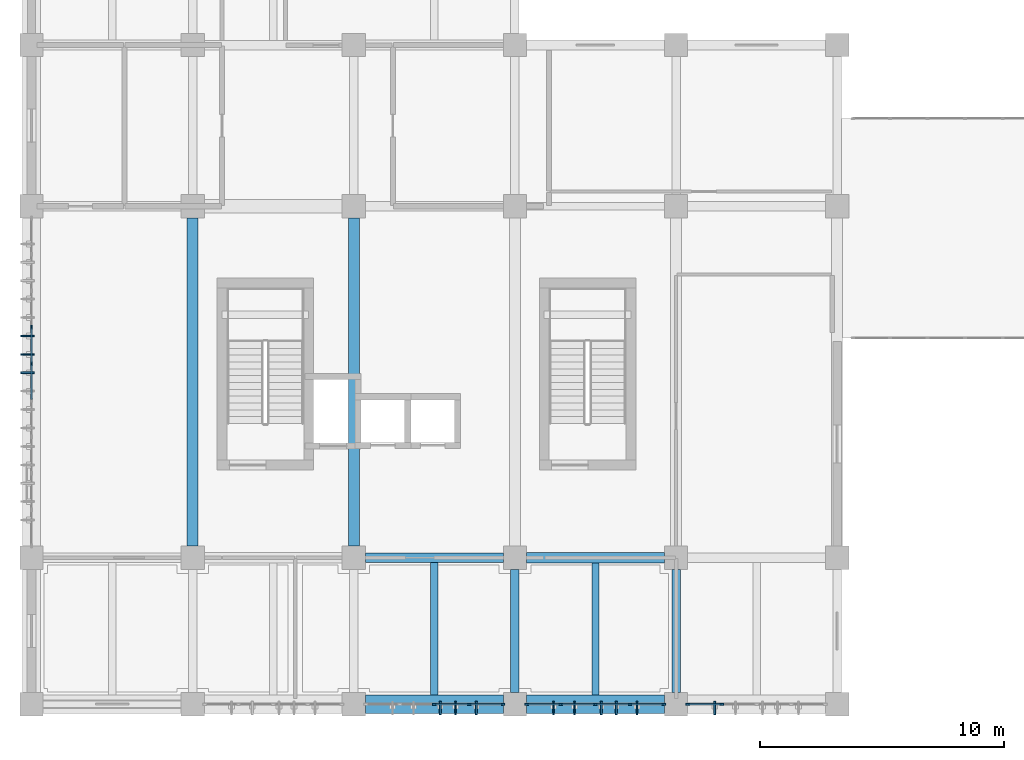
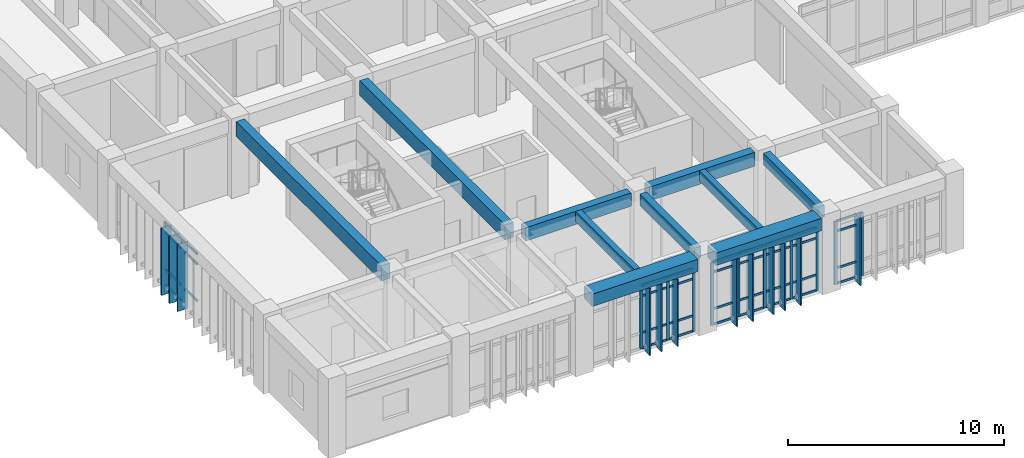
# One storey, part 3 of 57: 59 members, 10 beams, 4 elements without a shape of their own.
"""IFC4 building model written with IfcOpenShell, lengths in metres."""

from ifc_helpers import new_model, si_unit, direction, frame, origin, origin_2d, place, context, subcontext, project, spatial, rectangle, extrude, material, layer, layer_set, material_profile, profile_set, type_object, element, aggregate, save


model = new_model("IFC4")

# Units and contexts
model_context = context("Model", 3, precision=1e-05, world=origin(), true_north=direction((0.0, 1.0)))
body_context = subcontext(model_context, "Body", "Model", "MODEL_VIEW")
ifc_project = project(units=[si_unit("LENGTHUNIT", "METRE"), si_unit("AREAUNIT", "SQUARE_METRE"), si_unit("VOLUMEUNIT", "CUBIC_METRE"), si_unit("PLANEANGLEUNIT", "RADIAN"), si_unit("MASSUNIT", "GRAM", prefix="KILO")], contexts=[model_context])

# Site, building, storey
site_placement = place(None, origin())
site = spatial("IfcSite", under=ifc_project, at=site_placement, CompositionType="ELEMENT")
building_placement = place(site_placement, origin())
building = spatial("IfcBuilding", under=site, at=building_placement, Name="Miralva Faculty of Natural Sciences", CompositionType="ELEMENT")
storey_placement = place(building_placement, frame((0.0, 0.0, 15.0)))
storey = spatial("IfcBuildingStorey", under=building, at=storey_placement, Name="L03", CompositionType="ELEMENT", Elevation=15.0)

# Beams
ifc_material_1 = material(Name="Concrete C40/50", Category="concrete")
ifc_material_profile_1 = material_profile(ifc_material_1, rectangle(XDim=0.449951171875, YDim=0.85009765625, at=origin_2d()), Name="RC 450x850")
ifc_profile_set_1 = profile_set([ifc_material_profile_1], Name="Concrete C40/50")
beam_type_1 = type_object("IfcBeamType", Name="BM-B01", PredefinedType="BEAM", material=ifc_profile_set_1)
for number, where, z_axis, x_axis, name in (
    (1, (9.60009765625, 9.47509765625, 3.85498046875), (0.0, 1.0, 0.0), (-1.0, 0.0, 0.0), "Girder NS L03-76"),
    (2, (16.199951171875, 9.47509765625, 3.85498046875), (0.0, 1.0, 0.0), (-1.0, 0.0, 0.0), "Girder NS L03-89"),
):
    element("IfcBeam", number, at=place(storey_placement, frame(where, z_axis=z_axis, x_axis=x_axis)), inside=storey, type_object=beam_type_1, Name=name, PredefinedType="BEAM", context=body_context, shape_type="SweptSolid", body=[
        extrude(rectangle(XDim=0.449951171875, YDim=0.85009765625, at=origin_2d()), origin(), (0.0, 0.0, 1.0), 13.449951171875),
    ])
ifc_material_profile_2 = material_profile(ifc_material_1, rectangle(XDim=0.39990234375, YDim=0.75, at=origin_2d()), Name="RC 400x750")
ifc_profile_set_2 = profile_set([ifc_material_profile_2], Name="Concrete C40/50")
beam_type_2 = type_object("IfcBeamType", Name="BM-B03", PredefinedType="BEAM", material=ifc_profile_set_2)
beam_1_placement = place(storey_placement, frame((16.675048828125, 9.0, 3.905029296875), z_axis=(1.0, 0.0, 0.0), x_axis=(0.0, 1.0, 0.0)))
element("IfcBeam", 3, at=beam_1_placement, inside=storey, type_object=beam_type_2, Name="Girder EW L03-8", PredefinedType="BEAM", context=body_context, shape_type="SweptSolid", body=[
    extrude(rectangle(XDim=0.39990234375, YDim=0.75, at=origin_2d()), origin(), (0.0, 0.0, 1.0), 5.64990234375),
])
ifc_material_profile_3 = material_profile(ifc_material_1, rectangle(XDim=0.35009765625, YDim=0.64990234375, at=origin_2d()), Name="RC 350x650")
ifc_profile_set_3 = profile_set([ifc_material_profile_3], Name="Concrete C40/50")
beam_type_3 = type_object("IfcBeamType", Name="BM-B05", PredefinedType="BEAM", material=ifc_profile_set_3)
for number, where, z_axis, x_axis, name in (
    (4, (22.800048828125, 3.47509765625, 3.955078125), (0.0, 1.0, 0.0), (-1.0, 0.0, 0.0), "Girder NS L03-91"),
    (5, (29.39990234375, 3.47509765625, 3.955078125), (0.0, 1.0, 0.0), (-1.0, 0.0, 0.0), "Girder NS L03-104"),
):
    element("IfcBeam", number, at=place(storey_placement, frame(where, z_axis=z_axis, x_axis=x_axis)), inside=storey, type_object=beam_type_3, Name=name, PredefinedType="BEAM", context=body_context, shape_type="SweptSolid", body=[
        extrude(rectangle(XDim=0.35009765625, YDim=0.64990234375, at=origin_2d()), origin(), (0.0, 0.0, 1.0), 5.0498046875),
    ])
ifc_material_profile_4 = material_profile(ifc_material_1, rectangle(XDim=0.43994140625, YDim=0.780029296875, at=origin_2d()), Name="RC 440x780")
ifc_profile_set_4 = profile_set([ifc_material_profile_4], Name="Concrete C40/50")
beam_type_4 = type_object("IfcBeamType", Name="BM-BG13", PredefinedType="BEAM", material=ifc_profile_set_4)
beam_2_placement = place(storey_placement, frame((23.27490234375, 9.0, 3.889892578125), z_axis=(1.0, 0.0, 0.0), x_axis=(0.0, 1.0, 0.0)))
element("IfcBeam", 6, at=beam_2_placement, inside=storey, type_object=beam_type_4, Name="Girder EW L03-9", PredefinedType="BEAM", context=body_context, shape_type="SweptSolid", body=[
    extrude(rectangle(XDim=0.43994140625, YDim=0.780029296875, at=origin_2d()), origin(), (0.0, 0.0, 1.0), 5.650146484375),
])
ifc_material_profile_5 = material_profile(ifc_material_1, rectangle(XDim=0.300048828125, YDim=0.60009765625, at=origin_2d()), Name="RC 300x600")
ifc_profile_set_5 = profile_set([ifc_material_profile_5], Name="Concrete C40/50")
beam_type_5 = type_object("IfcBeamType", Name="BM-J01", PredefinedType="JOIST", material=ifc_profile_set_5)
beam_3_placement = place(storey_placement, frame((19.5, 3.375, 3.97998046875), z_axis=(0.0, 1.0, 0.0), x_axis=(-1.0, 0.0, 0.0)))
element("IfcBeam", 7, at=beam_3_placement, inside=storey, type_object=beam_type_5, Name="Floor joist L03-3", PredefinedType="JOIST", context=body_context, shape_type="SweptSolid", body=[
    extrude(rectangle(XDim=0.300048828125, YDim=0.60009765625, at=origin_2d()), origin(), (0.0, 0.0, 1.0), 5.425048828125),
])
beam_4_placement = place(storey_placement, frame((26.10009765625, 3.375, 3.97998046875), z_axis=(0.0, 1.0, 0.0), x_axis=(-1.0, 0.0, 0.0)))
element("IfcBeam", 8, at=beam_4_placement, inside=storey, type_object=beam_type_5, Name="Floor joist L03-4", PredefinedType="JOIST", context=body_context, shape_type="SweptSolid", body=[
    extrude(rectangle(XDim=0.300048828125, YDim=0.60009765625, at=origin_2d()), origin(), (0.0, 0.0, 1.0), 5.405029296875),
])
ifc_material_profile_6 = material_profile(ifc_material_1, rectangle(XDim=0.75, YDim=0.699951171875, at=origin_2d()), Name="RC 750x700")
ifc_profile_set_6 = profile_set([ifc_material_profile_6], Name="Concrete C40/50")
beam_type_6 = type_object("IfcBeamType", Name="BM-SP01", PredefinedType="SPANDREL", material=ifc_profile_set_6)
beam_5_placement = place(storey_placement, frame((16.675048828125, 3.0, 3.929931640625), z_axis=(1.0, 0.0, 0.0), x_axis=(0.0, 1.0, 0.0)))
element("IfcBeam", 9, at=beam_5_placement, inside=storey, type_object=beam_type_6, Name="Girder EW L03-3", PredefinedType="SPANDREL", context=body_context, shape_type="SweptSolid", body=[
    extrude(rectangle(XDim=0.75, YDim=0.699951171875, at=origin_2d()), origin(), (0.0, 0.0, 1.0), 5.64990234375),
])
beam_6_placement = place(storey_placement, frame((23.27490234375, 3.0, 3.929931640625), z_axis=(1.0, 0.0, 0.0), x_axis=(0.0, 1.0, 0.0)))
element("IfcBeam", 10, at=beam_6_placement, inside=storey, type_object=beam_type_6, Name="Girder EW L03-4", PredefinedType="SPANDREL", context=body_context, shape_type="SweptSolid", body=[
    extrude(rectangle(XDim=0.75, YDim=0.699951171875, at=origin_2d()), origin(), (0.0, 0.0, 1.0), 5.650146484375),
])

# Curtain wall, members
ifc_material_2 = material(Name="Laminated solar-control glass", Category="glass")
ifc_layer = layer(ifc_material_2, 0.179931640625, Name="CW-TWR-L03")
ifc_layer_set = layer_set([ifc_layer], Name="Laminated solar-control glass")
curtain_wall_type = type_object("IfcCurtainWallType", Name="CW-TWR-L03", PredefinedType="USERDEFINED", material=ifc_layer_set)
curtain_wall_1_placement = place(storey_placement, origin())
curtain_wall_1 = element("IfcCurtainWall", 11, at=curtain_wall_1_placement, inside=storey, type_object=curtain_wall_type, Name="Curtain wall CW-14 L03-225", ObjectType="UNITISED CURTAIN WALL", PredefinedType="USERDEFINED")
ifc_material_3 = material(Name="Anodised aluminium", Category="aluminium")
ifc_material_profile_7 = material_profile(ifc_material_3, rectangle(XDim=0.06494140625, YDim=0.159912109375, at=origin_2d()), Name="MULLION 65x160")
ifc_profile_set_7 = profile_set([ifc_material_profile_7], Name="Anodised aluminium")
member_type_1 = type_object("IfcMemberType", Name="CW-M02", PredefinedType="MULLION", material=ifc_profile_set_7)
member_1_placement = place(storey_placement, frame((19.5, 3.0, 0.0), z_axis=(0.0, 0.0, 1.0), x_axis=(0.0, 1.0, 0.0)))
member_1 = element("IfcMember", 12, at=member_1_placement, type_object=member_type_1, Name="CW-14 mullion 3", PredefinedType="MULLION", context=body_context, shape_type="SweptSolid", body=[
    extrude(rectangle(XDim=0.06494140625, YDim=0.159912109375, at=origin_2d()), origin(), (0.0, 0.0, 1.0), 3.574951171875),
])
member_2_placement = place(storey_placement, frame((20.922607421875, 3.0, 0.0), z_axis=(0.0, 0.0, 1.0), x_axis=(0.0, 1.0, 0.0)))
member_2 = element("IfcMember", 13, at=member_2_placement, type_object=member_type_1, Name="CW-14 mullion 4", PredefinedType="MULLION", context=body_context, shape_type="SweptSolid", body=[
    extrude(rectangle(XDim=0.06494140625, YDim=0.159912109375, at=origin_2d()), origin(), (0.0, 0.0, 1.0), 3.574951171875),
])
member_3_placement = place(storey_placement, frame((22.3125, 3.0, 0.0), z_axis=(0.0, 0.0, 1.0), x_axis=(0.0, 1.0, 0.0)))
member_3 = element("IfcMember", 14, at=member_3_placement, type_object=member_type_1, Name="CW-14 mullion 5", PredefinedType="MULLION", context=body_context, shape_type="SweptSolid", body=[
    extrude(rectangle(XDim=0.06494140625, YDim=0.159912109375, at=origin_2d()), origin(), (0.0, 0.0, 1.0), 3.574951171875),
])

curtain_wall_2_placement = place(storey_placement, origin())
curtain_wall_2 = element("IfcCurtainWall", 15, at=curtain_wall_2_placement, inside=storey, type_object=curtain_wall_type, Name="Curtain wall CW-14 L03-226", ObjectType="UNITISED CURTAIN WALL", PredefinedType="USERDEFINED")
member_4_placement = place(storey_placement, frame((23.28759765625, 3.0, 0.0), z_axis=(0.0, 0.0, 1.0), x_axis=(0.0, 1.0, 0.0)))
member_4 = element("IfcMember", 16, at=member_4_placement, type_object=member_type_1, Name="CW-14 mullion 1", PredefinedType="MULLION", context=body_context, shape_type="SweptSolid", body=[
    extrude(rectangle(XDim=0.06494140625, YDim=0.159912109375, at=origin_2d()), origin(), (0.0, 0.0, 1.0), 3.574951171875),
])
member_5_placement = place(storey_placement, frame((24.675048828125, 3.0, 0.0), z_axis=(0.0, 0.0, 1.0), x_axis=(0.0, 1.0, 0.0)))
member_5 = element("IfcMember", 17, at=member_5_placement, type_object=member_type_1, Name="CW-14 mullion 2", PredefinedType="MULLION", context=body_context, shape_type="SweptSolid", body=[
    extrude(rectangle(XDim=0.06494140625, YDim=0.159912109375, at=origin_2d()), origin(), (0.0, 0.0, 1.0), 3.574951171875),
])
member_6_placement = place(storey_placement, frame((26.094970703125, 3.0, 0.0), z_axis=(0.0, 0.0, 1.0), x_axis=(0.0, 1.0, 0.0)))
member_6 = element("IfcMember", 18, at=member_6_placement, type_object=member_type_1, Name="CW-14 mullion 3", PredefinedType="MULLION", context=body_context, shape_type="SweptSolid", body=[
    extrude(rectangle(XDim=0.06494140625, YDim=0.159912109375, at=origin_2d()), origin(), (0.0, 0.0, 1.0), 3.574951171875),
])
member_7_placement = place(storey_placement, frame((27.514892578125, 3.0, 0.0), z_axis=(0.0, 0.0, 1.0), x_axis=(0.0, 1.0, 0.0)))
member_7 = element("IfcMember", 19, at=member_7_placement, type_object=member_type_1, Name="CW-14 mullion 4", PredefinedType="MULLION", context=body_context, shape_type="SweptSolid", body=[
    extrude(rectangle(XDim=0.06494140625, YDim=0.159912109375, at=origin_2d()), origin(), (0.0, 0.0, 1.0), 3.574951171875),
])
member_8_placement = place(storey_placement, frame((28.902587890625, 3.0, 0.0), z_axis=(0.0, 0.0, 1.0), x_axis=(0.0, 1.0, 0.0)))
member_8 = element("IfcMember", 20, at=member_8_placement, type_object=member_type_1, Name="CW-14 mullion 5", PredefinedType="MULLION", context=body_context, shape_type="SweptSolid", body=[
    extrude(rectangle(XDim=0.06494140625, YDim=0.159912109375, at=origin_2d()), origin(), (0.0, 0.0, 1.0), 3.574951171875),
])

curtain_wall_3_placement = place(storey_placement, origin())
curtain_wall_3 = element("IfcCurtainWall", 21, at=curtain_wall_3_placement, inside=storey, type_object=curtain_wall_type, Name="Curtain wall CW-14 L03-227", ObjectType="UNITISED CURTAIN WALL", PredefinedType="USERDEFINED")
member_9_placement = place(storey_placement, frame((29.887451171875, 3.0, 0.0), z_axis=(0.0, 0.0, 1.0), x_axis=(0.0, 1.0, 0.0)))
member_9 = element("IfcMember", 22, at=member_9_placement, type_object=member_type_1, Name="CW-14 mullion 1", PredefinedType="MULLION", context=body_context, shape_type="SweptSolid", body=[
    extrude(rectangle(XDim=0.06494140625, YDim=0.159912109375, at=origin_2d()), origin(), (0.0, 0.0, 1.0), 3.574951171875),
])
member_10_placement = place(storey_placement, frame((31.277587890625, 3.0, 0.0), z_axis=(0.0, 0.0, 1.0), x_axis=(0.0, 1.0, 0.0)))
member_10 = element("IfcMember", 23, at=member_10_placement, type_object=member_type_1, Name="CW-14 mullion 2", PredefinedType="MULLION", context=body_context, shape_type="SweptSolid", body=[
    extrude(rectangle(XDim=0.06494140625, YDim=0.159912109375, at=origin_2d()), origin(), (0.0, 0.0, 1.0), 3.574951171875),
])

curtain_wall_4_placement = place(storey_placement, origin())
curtain_wall_4 = element("IfcCurtainWall", 24, at=curtain_wall_4_placement, inside=storey, type_object=curtain_wall_type, Name="Curtain wall CW-14 L03-228", ObjectType="UNITISED CURTAIN WALL", PredefinedType="USERDEFINED")
member_11_placement = place(storey_placement, frame((3.0, 16.9482421875, 0.0), z_axis=(0.0, 0.0, 1.0), x_axis=(-1.0, 0.0, 0.0)))
member_11 = element("IfcMember", 25, at=member_11_placement, type_object=member_type_1, Name="CW-14 mullion 6", PredefinedType="MULLION", context=body_context, shape_type="SweptSolid", body=[
    extrude(rectangle(XDim=0.06494140625, YDim=0.159912109375, at=origin_2d()), origin(), (0.0, 0.0, 1.0), 3.574951171875),
])
member_12_placement = place(storey_placement, frame((3.0, 18.445068359375, 0.0), z_axis=(0.0, 0.0, 1.0), x_axis=(-1.0, 0.0, 0.0)))
member_12 = element("IfcMember", 26, at=member_12_placement, type_object=member_type_1, Name="CW-14 mullion 7", PredefinedType="MULLION", context=body_context, shape_type="SweptSolid", body=[
    extrude(rectangle(XDim=0.06494140625, YDim=0.159912109375, at=origin_2d()), origin(), (0.0, 0.0, 1.0), 3.574951171875),
])

# Member
ifc_material_profile_8 = material_profile(ifc_material_3, rectangle(XDim=0.06005859375, YDim=0.1201171875, at=origin_2d()), Name="TRANSOM 60x120")
ifc_profile_set_8 = profile_set([ifc_material_profile_8], Name="Anodised aluminium")
member_type_2 = type_object("IfcMemberType", Name="CW-T02", PredefinedType="USERDEFINED", material=ifc_profile_set_8)
member_13_placement = place(storey_placement, frame((19.532470703125, 3.0, 0.030029296875), z_axis=(1.0, 0.0, 0.0), x_axis=(0.0, 1.0, 0.0)))
member_13 = element("IfcMember", 27, at=member_13_placement, type_object=member_type_2, Name="CW-14 transom 3.1", ObjectType="TRANSOM", PredefinedType="USERDEFINED", context=body_context, shape_type="SweptSolid", body=[
    extrude(rectangle(XDim=0.06005859375, YDim=0.1201171875, at=origin_2d()), origin(), (0.0, 0.0, 1.0), 1.357421875),
])

member_14_placement = place(storey_placement, frame((19.532470703125, 3.0, 0.89990234375), z_axis=(1.0, 0.0, 0.0), x_axis=(0.0, 1.0, 0.0)))
member_14 = element("IfcMember", 28, at=member_14_placement, type_object=member_type_2, Name="CW-14 transom 3.2", ObjectType="TRANSOM", PredefinedType="USERDEFINED", context=body_context, shape_type="SweptSolid", body=[
    extrude(rectangle(XDim=0.06005859375, YDim=0.1201171875, at=origin_2d()), origin(), (0.0, 0.0, 1.0), 1.357421875),
])

member_15_placement = place(storey_placement, frame((19.532470703125, 3.0, 2.97509765625), z_axis=(1.0, 0.0, 0.0), x_axis=(0.0, 1.0, 0.0)))
member_15 = element("IfcMember", 29, at=member_15_placement, type_object=member_type_2, Name="CW-14 transom 3.3", ObjectType="TRANSOM", PredefinedType="USERDEFINED", context=body_context, shape_type="SweptSolid", body=[
    extrude(rectangle(XDim=0.06005859375, YDim=0.1201171875, at=origin_2d()), origin(), (0.0, 0.0, 1.0), 1.357421875),
])

member_16_placement = place(storey_placement, frame((19.532470703125, 3.0, 3.544921875), z_axis=(1.0, 0.0, 0.0), x_axis=(0.0, 1.0, 0.0)))
member_16 = element("IfcMember", 30, at=member_16_placement, type_object=member_type_2, Name="CW-14 transom 3.4", ObjectType="TRANSOM", PredefinedType="USERDEFINED", context=body_context, shape_type="SweptSolid", body=[
    extrude(rectangle(XDim=0.06005859375, YDim=0.1201171875, at=origin_2d()), origin(), (0.0, 0.0, 1.0), 1.357421875),
])

member_17_placement = place(storey_placement, frame((20.955078125, 3.0, 0.030029296875), z_axis=(1.0, 0.0, 0.0), x_axis=(0.0, 1.0, 0.0)))
member_17 = element("IfcMember", 31, at=member_17_placement, type_object=member_type_2, Name="CW-14 transom 4.1", ObjectType="TRANSOM", PredefinedType="USERDEFINED", context=body_context, shape_type="SweptSolid", body=[
    extrude(rectangle(XDim=0.06005859375, YDim=0.1201171875, at=origin_2d()), origin(), (0.0, 0.0, 1.0), 1.324951171875),
])

member_18_placement = place(storey_placement, frame((20.955078125, 3.0, 0.89990234375), z_axis=(1.0, 0.0, 0.0), x_axis=(0.0, 1.0, 0.0)))
member_18 = element("IfcMember", 32, at=member_18_placement, type_object=member_type_2, Name="CW-14 transom 4.2", ObjectType="TRANSOM", PredefinedType="USERDEFINED", context=body_context, shape_type="SweptSolid", body=[
    extrude(rectangle(XDim=0.06005859375, YDim=0.1201171875, at=origin_2d()), origin(), (0.0, 0.0, 1.0), 1.324951171875),
])

member_19_placement = place(storey_placement, frame((20.955078125, 3.0, 2.97509765625), z_axis=(1.0, 0.0, 0.0), x_axis=(0.0, 1.0, 0.0)))
member_19 = element("IfcMember", 33, at=member_19_placement, type_object=member_type_2, Name="CW-14 transom 4.3", ObjectType="TRANSOM", PredefinedType="USERDEFINED", context=body_context, shape_type="SweptSolid", body=[
    extrude(rectangle(XDim=0.06005859375, YDim=0.1201171875, at=origin_2d()), origin(), (0.0, 0.0, 1.0), 1.324951171875),
])

member_20_placement = place(storey_placement, frame((20.955078125, 3.0, 3.544921875), z_axis=(1.0, 0.0, 0.0), x_axis=(0.0, 1.0, 0.0)))
member_20 = element("IfcMember", 34, at=member_20_placement, type_object=member_type_2, Name="CW-14 transom 4.4", ObjectType="TRANSOM", PredefinedType="USERDEFINED", context=body_context, shape_type="SweptSolid", body=[
    extrude(rectangle(XDim=0.06005859375, YDim=0.1201171875, at=origin_2d()), origin(), (0.0, 0.0, 1.0), 1.324951171875),
])

aggregate(curtain_wall_1, [member_1, member_2, member_3, member_13, member_14, member_15, member_16, member_17, member_18, member_19, member_20])

member_21_placement = place(storey_placement, frame((23.320068359375, 3.0, 0.030029296875), z_axis=(1.0, 0.0, 0.0), x_axis=(0.0, 1.0, 0.0)))
member_21 = element("IfcMember", 35, at=member_21_placement, type_object=member_type_2, Name="CW-14 transom 1.1", ObjectType="TRANSOM", PredefinedType="USERDEFINED", context=body_context, shape_type="SweptSolid", body=[
    extrude(rectangle(XDim=0.06005859375, YDim=0.1201171875, at=origin_2d()), origin(), (0.0, 0.0, 1.0), 1.322509765625),
])

member_22_placement = place(storey_placement, frame((23.320068359375, 3.0, 0.89990234375), z_axis=(1.0, 0.0, 0.0), x_axis=(0.0, 1.0, 0.0)))
member_22 = element("IfcMember", 36, at=member_22_placement, type_object=member_type_2, Name="CW-14 transom 1.2", ObjectType="TRANSOM", PredefinedType="USERDEFINED", context=body_context, shape_type="SweptSolid", body=[
    extrude(rectangle(XDim=0.06005859375, YDim=0.1201171875, at=origin_2d()), origin(), (0.0, 0.0, 1.0), 1.322509765625),
])

member_23_placement = place(storey_placement, frame((23.320068359375, 3.0, 2.97509765625), z_axis=(1.0, 0.0, 0.0), x_axis=(0.0, 1.0, 0.0)))
member_23 = element("IfcMember", 37, at=member_23_placement, type_object=member_type_2, Name="CW-14 transom 1.3", ObjectType="TRANSOM", PredefinedType="USERDEFINED", context=body_context, shape_type="SweptSolid", body=[
    extrude(rectangle(XDim=0.06005859375, YDim=0.1201171875, at=origin_2d()), origin(), (0.0, 0.0, 1.0), 1.322509765625),
])

member_24_placement = place(storey_placement, frame((23.320068359375, 3.0, 3.544921875), z_axis=(1.0, 0.0, 0.0), x_axis=(0.0, 1.0, 0.0)))
member_24 = element("IfcMember", 38, at=member_24_placement, type_object=member_type_2, Name="CW-14 transom 1.4", ObjectType="TRANSOM", PredefinedType="USERDEFINED", context=body_context, shape_type="SweptSolid", body=[
    extrude(rectangle(XDim=0.06005859375, YDim=0.1201171875, at=origin_2d()), origin(), (0.0, 0.0, 1.0), 1.322509765625),
])

member_25_placement = place(storey_placement, frame((24.70751953125, 3.0, 0.030029296875), z_axis=(1.0, 0.0, 0.0), x_axis=(0.0, 1.0, 0.0)))
member_25 = element("IfcMember", 39, at=member_25_placement, type_object=member_type_2, Name="CW-14 transom 2.1", ObjectType="TRANSOM", PredefinedType="USERDEFINED", context=body_context, shape_type="SweptSolid", body=[
    extrude(rectangle(XDim=0.06005859375, YDim=0.1201171875, at=origin_2d()), origin(), (0.0, 0.0, 1.0), 1.35498046875),
])

member_26_placement = place(storey_placement, frame((24.70751953125, 3.0, 0.89990234375), z_axis=(1.0, 0.0, 0.0), x_axis=(0.0, 1.0, 0.0)))
member_26 = element("IfcMember", 40, at=member_26_placement, type_object=member_type_2, Name="CW-14 transom 2.2", ObjectType="TRANSOM", PredefinedType="USERDEFINED", context=body_context, shape_type="SweptSolid", body=[
    extrude(rectangle(XDim=0.06005859375, YDim=0.1201171875, at=origin_2d()), origin(), (0.0, 0.0, 1.0), 1.35498046875),
])

member_27_placement = place(storey_placement, frame((24.70751953125, 3.0, 2.97509765625), z_axis=(1.0, 0.0, 0.0), x_axis=(0.0, 1.0, 0.0)))
member_27 = element("IfcMember", 41, at=member_27_placement, type_object=member_type_2, Name="CW-14 transom 2.3", ObjectType="TRANSOM", PredefinedType="USERDEFINED", context=body_context, shape_type="SweptSolid", body=[
    extrude(rectangle(XDim=0.06005859375, YDim=0.1201171875, at=origin_2d()), origin(), (0.0, 0.0, 1.0), 1.35498046875),
])

member_28_placement = place(storey_placement, frame((24.70751953125, 3.0, 3.544921875), z_axis=(1.0, 0.0, 0.0), x_axis=(0.0, 1.0, 0.0)))
member_28 = element("IfcMember", 42, at=member_28_placement, type_object=member_type_2, Name="CW-14 transom 2.4", ObjectType="TRANSOM", PredefinedType="USERDEFINED", context=body_context, shape_type="SweptSolid", body=[
    extrude(rectangle(XDim=0.06005859375, YDim=0.1201171875, at=origin_2d()), origin(), (0.0, 0.0, 1.0), 1.35498046875),
])

member_29_placement = place(storey_placement, frame((26.12744140625, 3.0, 0.030029296875), z_axis=(1.0, 0.0, 0.0), x_axis=(0.0, 1.0, 0.0)))
member_29 = element("IfcMember", 43, at=member_29_placement, type_object=member_type_2, Name="CW-14 transom 3.1", ObjectType="TRANSOM", PredefinedType="USERDEFINED", context=body_context, shape_type="SweptSolid", body=[
    extrude(rectangle(XDim=0.06005859375, YDim=0.1201171875, at=origin_2d()), origin(), (0.0, 0.0, 1.0), 1.35498046875),
])

member_30_placement = place(storey_placement, frame((26.12744140625, 3.0, 0.89990234375), z_axis=(1.0, 0.0, 0.0), x_axis=(0.0, 1.0, 0.0)))
member_30 = element("IfcMember", 44, at=member_30_placement, type_object=member_type_2, Name="CW-14 transom 3.2", ObjectType="TRANSOM", PredefinedType="USERDEFINED", context=body_context, shape_type="SweptSolid", body=[
    extrude(rectangle(XDim=0.06005859375, YDim=0.1201171875, at=origin_2d()), origin(), (0.0, 0.0, 1.0), 1.35498046875),
])

member_31_placement = place(storey_placement, frame((26.12744140625, 3.0, 2.97509765625), z_axis=(1.0, 0.0, 0.0), x_axis=(0.0, 1.0, 0.0)))
member_31 = element("IfcMember", 45, at=member_31_placement, type_object=member_type_2, Name="CW-14 transom 3.3", ObjectType="TRANSOM", PredefinedType="USERDEFINED", context=body_context, shape_type="SweptSolid", body=[
    extrude(rectangle(XDim=0.06005859375, YDim=0.1201171875, at=origin_2d()), origin(), (0.0, 0.0, 1.0), 1.35498046875),
])

member_32_placement = place(storey_placement, frame((26.12744140625, 3.0, 3.544921875), z_axis=(1.0, 0.0, 0.0), x_axis=(0.0, 1.0, 0.0)))
member_32 = element("IfcMember", 46, at=member_32_placement, type_object=member_type_2, Name="CW-14 transom 3.4", ObjectType="TRANSOM", PredefinedType="USERDEFINED", context=body_context, shape_type="SweptSolid", body=[
    extrude(rectangle(XDim=0.06005859375, YDim=0.1201171875, at=origin_2d()), origin(), (0.0, 0.0, 1.0), 1.35498046875),
])

member_33_placement = place(storey_placement, frame((27.547607421875, 3.0, 0.030029296875), z_axis=(1.0, 0.0, 0.0), x_axis=(0.0, 1.0, 0.0)))
member_33 = element("IfcMember", 47, at=member_33_placement, type_object=member_type_2, Name="CW-14 transom 4.1", ObjectType="TRANSOM", PredefinedType="USERDEFINED", context=body_context, shape_type="SweptSolid", body=[
    extrude(rectangle(XDim=0.06005859375, YDim=0.1201171875, at=origin_2d()), origin(), (0.0, 0.0, 1.0), 1.322509765625),
])

member_34_placement = place(storey_placement, frame((27.547607421875, 3.0, 0.89990234375), z_axis=(1.0, 0.0, 0.0), x_axis=(0.0, 1.0, 0.0)))
member_34 = element("IfcMember", 48, at=member_34_placement, type_object=member_type_2, Name="CW-14 transom 4.2", ObjectType="TRANSOM", PredefinedType="USERDEFINED", context=body_context, shape_type="SweptSolid", body=[
    extrude(rectangle(XDim=0.06005859375, YDim=0.1201171875, at=origin_2d()), origin(), (0.0, 0.0, 1.0), 1.322509765625),
])

member_35_placement = place(storey_placement, frame((27.547607421875, 3.0, 2.97509765625), z_axis=(1.0, 0.0, 0.0), x_axis=(0.0, 1.0, 0.0)))
member_35 = element("IfcMember", 49, at=member_35_placement, type_object=member_type_2, Name="CW-14 transom 4.3", ObjectType="TRANSOM", PredefinedType="USERDEFINED", context=body_context, shape_type="SweptSolid", body=[
    extrude(rectangle(XDim=0.06005859375, YDim=0.1201171875, at=origin_2d()), origin(), (0.0, 0.0, 1.0), 1.322509765625),
])

member_36_placement = place(storey_placement, frame((27.547607421875, 3.0, 3.544921875), z_axis=(1.0, 0.0, 0.0), x_axis=(0.0, 1.0, 0.0)))
member_36 = element("IfcMember", 50, at=member_36_placement, type_object=member_type_2, Name="CW-14 transom 4.4", ObjectType="TRANSOM", PredefinedType="USERDEFINED", context=body_context, shape_type="SweptSolid", body=[
    extrude(rectangle(XDim=0.06005859375, YDim=0.1201171875, at=origin_2d()), origin(), (0.0, 0.0, 1.0), 1.322509765625),
])

aggregate(curtain_wall_2, [member_4, member_5, member_6, member_7, member_8, member_21, member_22, member_23, member_24, member_25, member_26, member_27, member_28, member_29, member_30, member_31, member_32, member_33, member_34, member_35, member_36])

member_37_placement = place(storey_placement, frame((29.919921875, 3.0, 0.030029296875), z_axis=(1.0, 0.0, 0.0), x_axis=(0.0, 1.0, 0.0)))
member_37 = element("IfcMember", 51, at=member_37_placement, type_object=member_type_2, Name="CW-14 transom 1.1", ObjectType="TRANSOM", PredefinedType="USERDEFINED", context=body_context, shape_type="SweptSolid", body=[
    extrude(rectangle(XDim=0.06005859375, YDim=0.1201171875, at=origin_2d()), origin(), (0.0, 0.0, 1.0), 1.3251953125),
])

member_38_placement = place(storey_placement, frame((29.919921875, 3.0, 0.89990234375), z_axis=(1.0, 0.0, 0.0), x_axis=(0.0, 1.0, 0.0)))
member_38 = element("IfcMember", 52, at=member_38_placement, type_object=member_type_2, Name="CW-14 transom 1.2", ObjectType="TRANSOM", PredefinedType="USERDEFINED", context=body_context, shape_type="SweptSolid", body=[
    extrude(rectangle(XDim=0.06005859375, YDim=0.1201171875, at=origin_2d()), origin(), (0.0, 0.0, 1.0), 1.3251953125),
])

member_39_placement = place(storey_placement, frame((29.919921875, 3.0, 2.97509765625), z_axis=(1.0, 0.0, 0.0), x_axis=(0.0, 1.0, 0.0)))
member_39 = element("IfcMember", 53, at=member_39_placement, type_object=member_type_2, Name="CW-14 transom 1.3", ObjectType="TRANSOM", PredefinedType="USERDEFINED", context=body_context, shape_type="SweptSolid", body=[
    extrude(rectangle(XDim=0.06005859375, YDim=0.1201171875, at=origin_2d()), origin(), (0.0, 0.0, 1.0), 1.3251953125),
])

member_40_placement = place(storey_placement, frame((29.919921875, 3.0, 3.544921875), z_axis=(1.0, 0.0, 0.0), x_axis=(0.0, 1.0, 0.0)))
member_40 = element("IfcMember", 54, at=member_40_placement, type_object=member_type_2, Name="CW-14 transom 1.4", ObjectType="TRANSOM", PredefinedType="USERDEFINED", context=body_context, shape_type="SweptSolid", body=[
    extrude(rectangle(XDim=0.06005859375, YDim=0.1201171875, at=origin_2d()), origin(), (0.0, 0.0, 1.0), 1.3251953125),
])

aggregate(curtain_wall_3, [member_9, member_10, member_37, member_38, member_39, member_40])

member_41_placement = place(storey_placement, frame((3.0, 15.484130859375, 0.89990234375), z_axis=(0.0, 1.0, 0.0), x_axis=(-1.0, 0.0, 0.0)))
member_41 = element("IfcMember", 55, at=member_41_placement, type_object=member_type_2, Name="CW-14 transom 5.2", ObjectType="TRANSOM", PredefinedType="USERDEFINED", context=body_context, shape_type="SweptSolid", body=[
    extrude(rectangle(XDim=0.06005859375, YDim=0.1201171875, at=origin_2d()), origin(), (0.0, 0.0, 1.0), 1.431640625),
])

member_42_placement = place(storey_placement, frame((3.0, 15.484130859375, 2.97509765625), z_axis=(0.0, 1.0, 0.0), x_axis=(-1.0, 0.0, 0.0)))
member_42 = element("IfcMember", 56, at=member_42_placement, type_object=member_type_2, Name="CW-14 transom 5.3", ObjectType="TRANSOM", PredefinedType="USERDEFINED", context=body_context, shape_type="SweptSolid", body=[
    extrude(rectangle(XDim=0.06005859375, YDim=0.1201171875, at=origin_2d()), origin(), (0.0, 0.0, 1.0), 1.431640625),
])

member_43_placement = place(storey_placement, frame((3.0, 15.484130859375, 3.544921875), z_axis=(0.0, 1.0, 0.0), x_axis=(-1.0, 0.0, 0.0)))
member_43 = element("IfcMember", 57, at=member_43_placement, type_object=member_type_2, Name="CW-14 transom 5.4", ObjectType="TRANSOM", PredefinedType="USERDEFINED", context=body_context, shape_type="SweptSolid", body=[
    extrude(rectangle(XDim=0.06005859375, YDim=0.1201171875, at=origin_2d()), origin(), (0.0, 0.0, 1.0), 1.431640625),
])

member_44_placement = place(storey_placement, frame((3.0, 16.980712890625, 0.030029296875), z_axis=(0.0, 1.0, 0.0), x_axis=(-1.0, 0.0, 0.0)))
member_44 = element("IfcMember", 58, at=member_44_placement, type_object=member_type_2, Name="CW-14 transom 6.1", ObjectType="TRANSOM", PredefinedType="USERDEFINED", context=body_context, shape_type="SweptSolid", body=[
    extrude(rectangle(XDim=0.06005859375, YDim=0.1201171875, at=origin_2d()), origin(), (0.0, 0.0, 1.0), 1.431884765625),
])

member_45_placement = place(storey_placement, frame((3.0, 16.980712890625, 0.89990234375), z_axis=(0.0, 1.0, 0.0), x_axis=(-1.0, 0.0, 0.0)))
member_45 = element("IfcMember", 59, at=member_45_placement, type_object=member_type_2, Name="CW-14 transom 6.2", ObjectType="TRANSOM", PredefinedType="USERDEFINED", context=body_context, shape_type="SweptSolid", body=[
    extrude(rectangle(XDim=0.06005859375, YDim=0.1201171875, at=origin_2d()), origin(), (0.0, 0.0, 1.0), 1.431884765625),
])

member_46_placement = place(storey_placement, frame((3.0, 16.980712890625, 2.97509765625), z_axis=(0.0, 1.0, 0.0), x_axis=(-1.0, 0.0, 0.0)))
member_46 = element("IfcMember", 60, at=member_46_placement, type_object=member_type_2, Name="CW-14 transom 6.3", ObjectType="TRANSOM", PredefinedType="USERDEFINED", context=body_context, shape_type="SweptSolid", body=[
    extrude(rectangle(XDim=0.06005859375, YDim=0.1201171875, at=origin_2d()), origin(), (0.0, 0.0, 1.0), 1.431884765625),
])

member_47_placement = place(storey_placement, frame((3.0, 16.980712890625, 3.544921875), z_axis=(0.0, 1.0, 0.0), x_axis=(-1.0, 0.0, 0.0)))
member_47 = element("IfcMember", 61, at=member_47_placement, type_object=member_type_2, Name="CW-14 transom 6.4", ObjectType="TRANSOM", PredefinedType="USERDEFINED", context=body_context, shape_type="SweptSolid", body=[
    extrude(rectangle(XDim=0.06005859375, YDim=0.1201171875, at=origin_2d()), origin(), (0.0, 0.0, 1.0), 1.431884765625),
])

aggregate(curtain_wall_4, [member_11, member_12, member_41, member_42, member_43, member_44, member_45, member_46, member_47])

# Members
ifc_material_profile_9 = material_profile(ifc_material_3, rectangle(XDim=0.06494140625, YDim=0.550048828125, at=origin_2d()), Name="FIN 550x65")
ifc_profile_set_9 = profile_set([ifc_material_profile_9], Name="Anodised aluminium")
member_type_3 = type_object("IfcMemberType", Name="MEM-SF03", PredefinedType="USERDEFINED", material=ifc_profile_set_9)
for number, where, z_axis, x_axis, name in (
    (62, (19.739990234375, 2.840087890625, -0.219970703125), (0.0, 0.0, 1.0), (1.0, 0.0, 0.0), "Solar shading fin SF-03 L03-268"),
    (63, (20.35791015625, 2.840087890625, -0.219970703125), (0.0, 0.0, 1.0), (1.0, 0.0, 0.0), "Solar shading fin SF-03 L03-269"),
    (64, (21.216064453125, 2.840087890625, -0.219970703125), (0.0, 0.0, 1.0), (1.0, 0.0, 0.0), "Solar shading fin SF-03 L03-270"),
    (65, (24.383056640625, 2.840087890625, -0.219970703125), (0.0, 0.0, 1.0), (1.0, 0.0, 0.0), "Solar shading fin SF-03 L03-271"),
    (66, (25.239013671875, 2.840087890625, -0.219970703125), (0.0, 0.0, 1.0), (1.0, 0.0, 0.0), "Solar shading fin SF-03 L03-272"),
    (67, (26.3349609375, 2.840087890625, -0.219970703125), (0.0, 0.0, 1.0), (1.0, 0.0, 0.0), "Solar shading fin SF-03 L03-273"),
    (68, (26.950927734375, 2.840087890625, -0.219970703125), (0.0, 0.0, 1.0), (1.0, 0.0, 0.0), "Solar shading fin SF-03 L03-274"),
    (69, (27.806884765625, 2.840087890625, -0.219970703125), (0.0, 0.0, 1.0), (1.0, 0.0, 0.0), "Solar shading fin SF-03 L03-275"),
    (70, (30.98388671875, 2.840087890625, -0.219970703125), (0.0, 0.0, 1.0), (1.0, 0.0, 0.0), "Solar shading fin SF-03 L03-276"),
    (71, (2.840087890625, 16.5771484375, -0.219970703125), (0.0, 0.0, 1.0), (0.0, -1.0, 0.0), "Solar shading fin SF-03 L03-289"),
    (72, (2.840087890625, 17.33154296875, -0.219970703125), (0.0, 0.0, 1.0), (0.0, -1.0, 0.0), "Solar shading fin SF-03 L03-290"),
    (73, (2.840087890625, 18.0859375, -0.219970703125), (0.0, 0.0, 1.0), (0.0, -1.0, 0.0), "Solar shading fin SF-03 L03-291"),
):
    element("IfcMember", number, at=place(storey_placement, frame(where, z_axis=z_axis, x_axis=x_axis)), inside=storey, type_object=member_type_3, Name=name, ObjectType="SUNSHADE", PredefinedType="USERDEFINED", context=body_context, shape_type="SweptSolid", body=[
        extrude(rectangle(XDim=0.06494140625, YDim=0.550048828125, at=origin_2d()), origin(), (0.0, 0.0, 1.0), 3.794921875),
    ])

save(model, "model.ifc")
